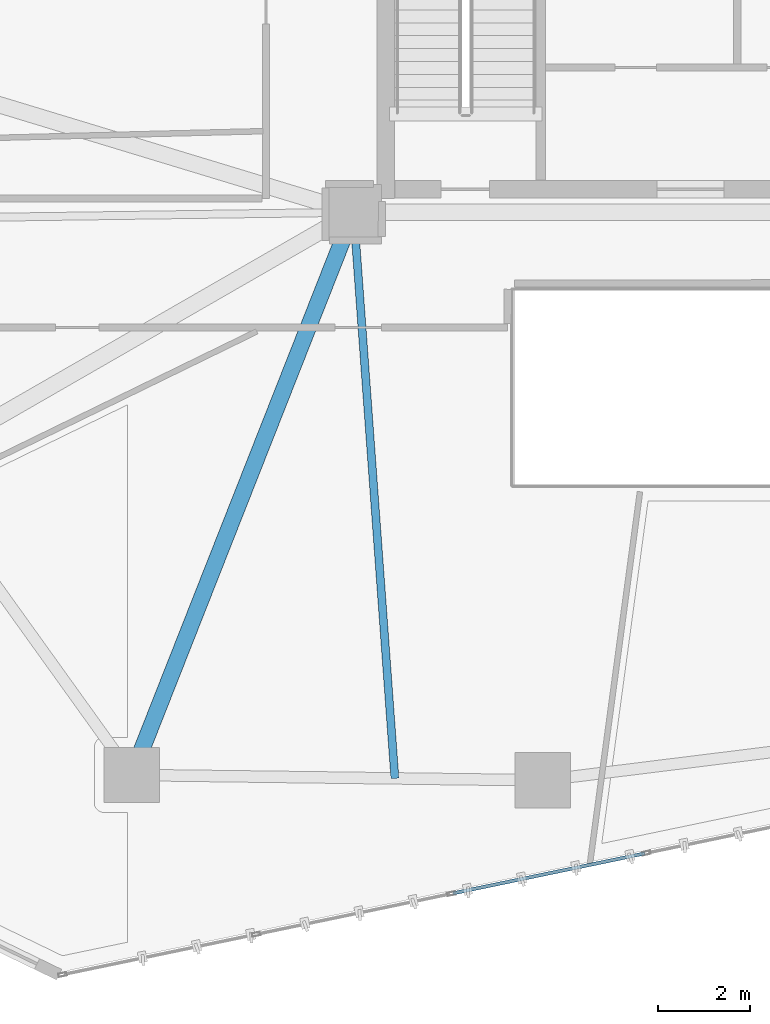
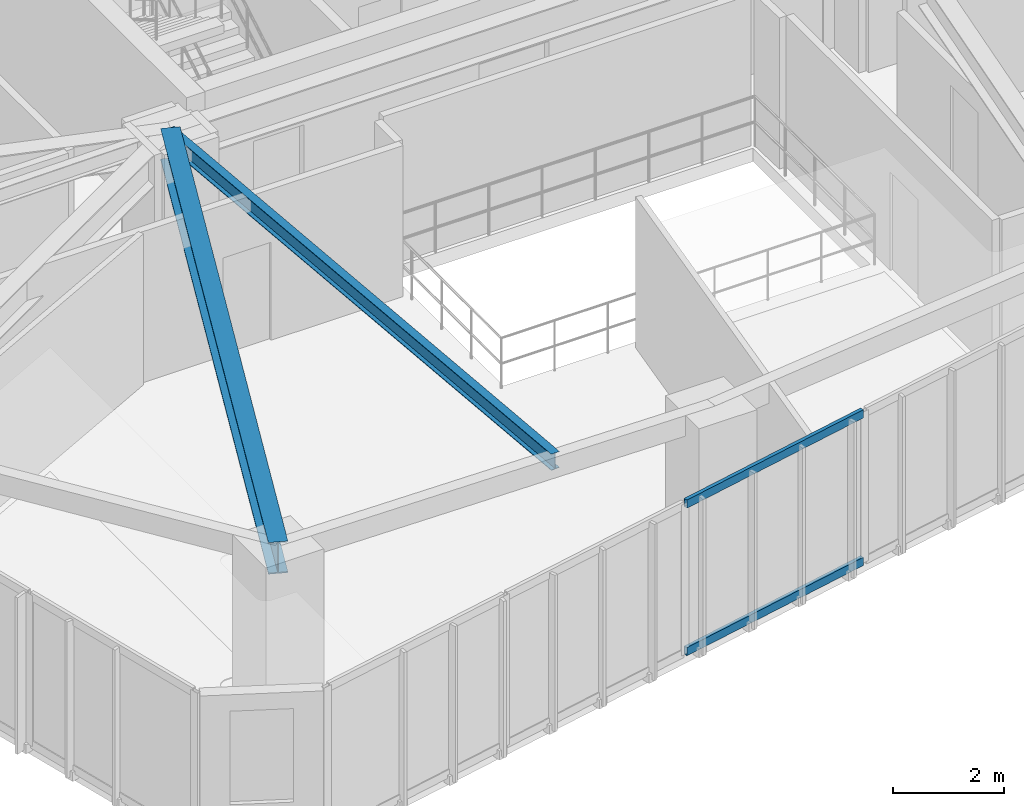
# One storey, part 5 of 22: 2 beams, 2 members, 1 element without a shape of its own.
"""IFC4 building model written with IfcOpenShell, lengths in metres."""

import ifcopenshell
import ifcopenshell.guid

model = None  # the IFC model being written
_history = None  # IfcOwnerHistory: only IFC2X3 demands one
_inside = {}  # id of a spatial element -> (the spatial element, [elements in it])
_under = {}  # id of a project, library or spatial element -> (it, [spatial elements below it])
_declared = {}  # id of a project -> (the project, [libraries it declares])
_typed = {}  # id of a type object -> (the type object, [elements of that type])
_made_of = {}  # id of a material, layer set ... -> (it, [elements and type objects made of it])


def new_model(schema):
    """Start an empty IFC model of exactly this schema.

    Asked for "IFC4X3", IfcOpenShell would pick the latest addendum, in which some entities
    have other attributes; the version numbers below select the first issue.
    IFC2X3 requires an IfcOwnerHistory on every rooted entity: one is made here for all.
    """
    global model, _history
    if schema == "IFC4X3":
        model = ifcopenshell.file(schema_version=(4, 3, 0, 0))
    else:
        model = ifcopenshell.file(schema=schema)
    _inside.clear()
    _under.clear()
    _declared.clear()
    _typed.clear()
    _made_of.clear()
    _history = None
    if model.schema == "IFC2X3":
        org = make("IfcOrganization", Name="unknown")
        user = make(
            "IfcPersonAndOrganization",
            ThePerson=make("IfcPerson", FamilyName="unknown"),
            TheOrganization=org,
        )
        app = make(
            "IfcApplication",
            ApplicationDeveloper=org,
            Version="unknown",
            ApplicationFullName="unknown",
            ApplicationIdentifier="unknown",
        )
        _history = make(
            "IfcOwnerHistory",
            OwningUser=user,
            OwningApplication=app,
            ChangeAction="ADDED",
            CreationDate=0,
        )
    return model


def make(cls, **values):
    """One entity of the class cls with the attributes given. An attribute that is None is left unset."""
    return model.create_entity(
        cls, **{name: value for name, value in values.items() if value is not None}
    )


def rooted(cls, **values):
    """An entity with a GlobalId (a new one), such as an element, a storey or a relation."""
    return make(cls, GlobalId=ifcopenshell.guid.new(), OwnerHistory=_history, **values)


def si_unit(unit_type, name, prefix=None):
    """IfcSIUnit, for example si_unit("LENGTHUNIT", "METRE", prefix="MILLI")."""
    return make("IfcSIUnit", UnitType=unit_type, Prefix=prefix, Name=name)


def assignment(units):
    """IfcUnitAssignment: the units of a project."""
    return None if units is None else make("IfcUnitAssignment", Units=units)


def point(xyz):
    """IfcCartesianPoint."""
    return None if xyz is None else make("IfcCartesianPoint", Coordinates=xyz)


def direction(xyz):
    """IfcDirection."""
    return None if xyz is None else make("IfcDirection", DirectionRatios=xyz)


def frame(location, z_axis=None, x_axis=None):
    """IfcAxis2Placement3D, a coordinate frame: its origin and axes. An axis left out is left unset."""
    return make(
        "IfcAxis2Placement3D",
        Location=point(location),
        Axis=direction(z_axis),
        RefDirection=direction(x_axis),
    )


def frame_2d(location, x_axis=None):
    """IfcAxis2Placement2D, a coordinate frame in the plane: its origin and x axis."""
    return make(
        "IfcAxis2Placement2D", Location=point(location), RefDirection=direction(x_axis)
    )


def origin():
    """The frame at (0, 0, 0) with its axes left unset."""
    return frame((0.0, 0.0, 0.0))


def origin_2d():
    """The frame at (0, 0) in the plane with its x axis left unset."""
    return frame_2d((0.0, 0.0))


def place(relative_to, where):
    """IfcLocalPlacement: puts the frame where relative to a parent placement (None: the world)."""
    return make(
        "IfcLocalPlacement", PlacementRelTo=relative_to, RelativePlacement=where
    )


def context(
    kind, dimensions, precision=None, world=None, true_north=None, identifier=None
):
    """IfcGeometricRepresentationContext, for example the 3D "Model" context."""
    return make(
        "IfcGeometricRepresentationContext",
        ContextIdentifier=identifier,
        ContextType=kind,
        CoordinateSpaceDimension=dimensions,
        Precision=precision,
        WorldCoordinateSystem=world,
        TrueNorth=true_north,
    )


def subcontext(parent, identifier, kind, view, scale=None):
    """IfcGeometricRepresentationSubContext, for example "Body" below "Model"."""
    return make(
        "IfcGeometricRepresentationSubContext",
        ContextIdentifier=identifier,
        ContextType=kind,
        ParentContext=parent,
        TargetScale=scale,
        TargetView=view,
    )


def project(units=None, contexts=None):
    """IfcProject with its units and contexts."""
    return rooted(
        "IfcProject",
        Name="project",
        RepresentationContexts=contexts,
        UnitsInContext=assignment(units),
    )


def spatial(cls, under=None, at=None, **own):
    """A site, building, storey or space (cls), placed at a placement, below another one or the project."""
    s = rooted(cls, ObjectPlacement=at, **own)
    if under is not None:
        _under.setdefault(under.id(), (under, []))[1].append(s)
    return s


def profile(cls, at=None, kind="AREA", **sizes):
    """A parametric profile (cls). Its sizes go by their IFC names, for example OverallWidth=200.0."""
    return make(cls, ProfileType=kind, Position=at, **sizes)


def hollow_rectangle(**sizes):
    """IfcRectangleHollowProfileDef."""
    return profile("IfcRectangleHollowProfileDef", **sizes)


def i_section(**sizes):
    """IfcIShapeProfileDef."""
    return profile("IfcIShapeProfileDef", **sizes)


def extrude(swept, where, along, depth):
    """IfcExtrudedAreaSolid: the profile swept, set in the frame where, extruded along a direction by depth."""
    return make(
        "IfcExtrudedAreaSolid",
        SweptArea=swept,
        Position=where,
        ExtrudedDirection=direction(along),
        Depth=depth,
    )


def shape(context_of_items, identifier, shape_type, items):
    """IfcShapeRepresentation: the items that make up one representation, for example the "Body"."""
    return make(
        "IfcShapeRepresentation",
        ContextOfItems=context_of_items,
        RepresentationIdentifier=identifier,
        RepresentationType=shape_type,
        Items=items,
    )


def source(mapping_origin, context_of_items, identifier, shape_type, items):
    """IfcRepresentationMap: a shape defined once, which mapped items show again and again."""
    return make(
        "IfcRepresentationMap",
        MappingOrigin=mapping_origin,
        MappedRepresentation=shape(context_of_items, identifier, shape_type, items),
    )


def transform(
    local_origin,
    x_axis=None,
    y_axis=None,
    z_axis=None,
    scale=None,
    scale2=None,
    scale3=None,
    uniform=True,
):
    """IfcCartesianTransformationOperator3D, or its non-uniform kind. x_axis, y_axis, z_axis: its Axis1, 2, 3."""
    if uniform:
        return make(
            "IfcCartesianTransformationOperator3D",
            Axis1=direction(x_axis),
            Axis2=direction(y_axis),
            LocalOrigin=point(local_origin),
            Scale=scale,
            Axis3=direction(z_axis),
        )
    return make(
        "IfcCartesianTransformationOperator3DnonUniform",
        Axis1=direction(x_axis),
        Axis2=direction(y_axis),
        LocalOrigin=point(local_origin),
        Scale=scale,
        Axis3=direction(z_axis),
        Scale2=scale2,
        Scale3=scale3,
    )


def mapped(mapping_source, mapping_target):
    """IfcMappedItem: shows the shape of a source again, moved by a transform."""
    return make(
        "IfcMappedItem", MappingSource=mapping_source, MappingTarget=mapping_target
    )


def material(Name=None, Category=None):
    """IfcMaterial."""
    return make("IfcMaterial", Name=Name, Category=Category)


def layer(
    of_material, thickness, ventilated=None, Name=None, Category=None, Priority=None
):
    """IfcMaterialLayer: one layer of a wall or slab, of a material (None: an air gap)."""
    return make(
        "IfcMaterialLayer",
        Material=of_material,
        LayerThickness=thickness,
        IsVentilated=ventilated,
        Name=Name,
        Category=Category,
        Priority=Priority,
    )


def layer_set(layers, Name=None):
    """IfcMaterialLayerSet."""
    return make("IfcMaterialLayerSet", MaterialLayers=layers, LayerSetName=Name)


def material_profile(
    of_material, cross_section, Name=None, Category=None, Priority=None
):
    """IfcMaterialProfile: a cross section and its material."""
    return make(
        "IfcMaterialProfile",
        Name=Name,
        Material=of_material,
        Profile=cross_section,
        Priority=Priority,
        Category=Category,
    )


def profile_set(profiles, Name=None, composite=None):
    """IfcMaterialProfileSet."""
    return make(
        "IfcMaterialProfileSet",
        Name=Name,
        MaterialProfiles=profiles,
        CompositeProfile=composite,
    )


def made_of(thing, what):
    """Note that an element or type object is made of a material, layer set ...; save() writes the relation."""
    if what is not None:
        _made_of.setdefault(what.id(), (what, []))[1].append(thing)
    return thing


def type_object(cls, material=None, **own):
    """A type object (cls), such as IfcWallType, which elements share."""
    return made_of(rooted(cls, **own), material)


def type_shapes(of_type, sources):
    """Give a type object the sources (RepresentationMaps) that its elements show as mapped items."""
    of_type.RepresentationMaps = sources


def element(
    cls,
    number,
    at=None,
    inside=None,
    cuts=None,
    type_object=None,
    material=None,
    context=None,
    identifier="Body",
    shape_type=None,
    held_by="IfcProductDefinitionShape",
    body=None,
    shapes=None,
    **own,
):
    """One element of the class cls, such as IfcWall. Its Tag is "e" and its number.

    at: its placement. inside: the storey or other place that contains it. cuts: it is an
    opening in that element (IfcRelVoidsElement). A single representation is given by context,
    identifier, shape_type and body (its items); several are given by shapes. held_by: the class
    of the entity that holds the representations. save() writes the other relations.
    """
    e = rooted(cls, Tag="e%d" % number, ObjectPlacement=at, **own)
    if body is not None:
        shapes = [shape(context, identifier, shape_type, body)]
    if shapes is not None:
        e.Representation = make(held_by, Representations=shapes)
    if inside is not None:
        _inside.setdefault(inside.id(), (inside, []))[1].append(e)
    if cuts is not None:
        rooted(
            "IfcRelVoidsElement", RelatingBuildingElement=cuts, RelatedOpeningElement=e
        )
    if type_object is not None:
        _typed.setdefault(type_object.id(), (type_object, []))[1].append(e)
    return made_of(e, material)


def aggregate(whole, parts):
    """IfcRelAggregates: a whole, such as a stair, and the parts it consists of."""
    return rooted("IfcRelAggregates", RelatingObject=whole, RelatedObjects=parts)


def save(model, path):
    """Write the relations noted so far, then the file.

    IfcRelAggregates (storeys below a building ...), IfcRelContainedInSpatialStructure (elements
    in a storey), IfcRelDefinesByType, IfcRelAssociatesMaterial and IfcRelDeclares: one each for
    every whole, place, type object, material and project.
    """
    for whole, parts in _under.values():
        aggregate(whole, parts)
    for where, things in _inside.values():
        rooted(
            "IfcRelContainedInSpatialStructure",
            RelatedElements=things,
            RelatingStructure=where,
        )
    for kind, things in _typed.values():
        rooted("IfcRelDefinesByType", RelatedObjects=things, RelatingType=kind)
    for what, things in _made_of.values():
        rooted("IfcRelAssociatesMaterial", RelatedObjects=things, RelatingMaterial=what)
    for by, libraries in _declared.values():
        rooted("IfcRelDeclares", RelatingContext=by, RelatedDefinitions=libraries)
    model.write(path)


model = new_model("IFC4")

# Units and contexts
model_context = context("Model", 3, precision=1e-05, world=origin(), true_north=direction((0.0, 1.0)))
body_context = subcontext(model_context, "Body", "Model", "MODEL_VIEW")
ifc_project = project(units=[si_unit("LENGTHUNIT", "METRE"), si_unit("AREAUNIT", "SQUARE_METRE"), si_unit("VOLUMEUNIT", "CUBIC_METRE"), si_unit("PLANEANGLEUNIT", "RADIAN"), si_unit("MASSUNIT", "GRAM", prefix="KILO")], contexts=[model_context])

# Site, building, storey
site_placement = place(None, origin())
site = spatial("IfcSite", under=ifc_project, at=site_placement, CompositionType="ELEMENT")
building_placement = place(site_placement, origin())
building = spatial("IfcBuilding", under=site, at=building_placement, Name="Talar Marvaseh", CompositionType="ELEMENT")
storey_placement = place(building_placement, frame((0.0, 0.0, 125.39990234375)))
storey = spatial("IfcBuildingStorey", under=building, at=storey_placement, Name="L32", CompositionType="ELEMENT", Elevation=125.39990234375)

# Beams
ifc_material_1 = material(Name="Steel S355", Category="steel")
ifc_material_profile_1 = material_profile(ifc_material_1, i_section(OverallWidth=0.35498046875, OverallDepth=0.695068359375, WebThickness=0.015380859375, FlangeThickness=0.02490234375, at=origin_2d()), Name="W690x217")
ifc_profile_set_1 = profile_set([ifc_material_profile_1], Name="Steel S355")
beam_type_1 = type_object("IfcBeamType", Name="Zone 2 Radial Floor Girder W690x217", PredefinedType="BEAM", material=ifc_profile_set_1)
beam_1_placement = place(storey_placement, frame((13.89111328125, 13.299072265625, 2.962646484375), z_axis=(0.366683712786, 0.930345664136, 0.0), x_axis=(-0.930345664136, 0.366683712786, 0.0)))
element("IfcBeam", 1, at=beam_1_placement, inside=storey, type_object=beam_type_1, Name="L32 Zone 2 Radial Floor Girder W690x217", PredefinedType="BEAM", context=body_context, shape_type="SweptSolid", body=[
    extrude(i_section(OverallWidth=0.35498046875, OverallDepth=0.695068359375, WebThickness=0.015380859375, FlangeThickness=0.02490234375, at=origin_2d()), origin(), (0.0, 0.0, 1.0), 13.114501953125),
])
ifc_material_profile_2 = material_profile(ifc_material_1, i_section(OverallWidth=0.172119140625, OverallDepth=0.35791015625, WebThickness=0.0078125, FlangeThickness=0.01318359375, at=origin_2d()), Name="W360x57")
ifc_profile_set_2 = profile_set([ifc_material_profile_2], Name="Steel S355")
beam_type_2 = type_object("IfcBeamType", Name="Zone 2 Secondary Floor Joist W360x57", PredefinedType="JOIST", material=ifc_profile_set_2)
beam_2_placement = place(storey_placement, frame((19.595947265625, 13.224853515625, 3.131103515625), z_axis=(-0.07279902415, 0.997346630857, 0.0), x_axis=(-0.997346630857, -0.07279902415, 0.0)))
element("IfcBeam", 2, at=beam_2_placement, inside=storey, type_object=beam_type_2, Name="L32 Zone 2 Secondary Floor Joist W360x57", PredefinedType="JOIST", context=body_context, shape_type="SweptSolid", body=[
    extrude(i_section(OverallWidth=0.172119140625, OverallDepth=0.35791015625, WebThickness=0.0078125, FlangeThickness=0.01318359375, at=origin_2d()), origin(), (0.0, 0.0, 1.0), 12.307861328125),
])

# Curtain wall, members
ifc_material_2 = material(Name="Architectural Aluminium", Category="aluminium")
ifc_layer = layer(ifc_material_2, 0.199951171875)
ifc_layer_set = layer_set([ifc_layer], Name="Architectural Aluminium")
curtain_wall_type = type_object("IfcCurtainWallType", Name="Unitised Acoustic Library Curtain Wall Z2", PredefinedType="NOTDEFINED", material=ifc_layer_set)
curtain_wall_placement = place(storey_placement, origin())
curtain_wall = element("IfcCurtainWall", 3, at=curtain_wall_placement, inside=storey, type_object=curtain_wall_type, Name="L32 Unitised Acoustic Library Curtain Wall Z2", PredefinedType="NOTDEFINED")
ifc_material_profile_3 = material_profile(ifc_material_2, hollow_rectangle(XDim=0.074951171875, YDim=0.179931640625, WallThickness=0.0048828125, at=origin_2d()), Name="RHS180x75x5")
ifc_profile_set_3 = profile_set([ifc_material_profile_3], Name="Architectural Aluminium")
member_type = type_object("IfcMemberType", Name="Unitised Curtain Wall Transom RHS180x75x5", PredefinedType="USERDEFINED", material=ifc_profile_set_3)
shared_shape = source(origin(), body_context, "Body", "SweptSolid", [
    extrude(hollow_rectangle(XDim=0.074951171875, YDim=0.179931640625, WallThickness=0.0048828125, at=origin_2d()), origin(), (0.0, 0.0, 1.0), 4.24853515625),
])
type_shapes(member_type, [shared_shape])
member_1_placement = place(storey_placement, frame((25.015380859375, 11.59912109375, 0.03759765625), z_axis=(-0.979007660802, -0.203823453241, 0.0), x_axis=(0.203823453241, -0.979007660802, 0.0)))
member_1 = element("IfcMember", 4, at=member_1_placement, type_object=member_type, Name="CW-Z2 transom 3.1", ObjectType="TRANSOM", PredefinedType="USERDEFINED", context=body_context, shape_type="MappedRepresentation", body=[
    mapped(shared_shape, transform((0.0, 0.0, 0.0), x_axis=(1.0, 0.0, 0.0), y_axis=(0.0, 1.0, 0.0), z_axis=(0.0, 0.0, 1.0), scale=1.0)),
])
member_2_placement = place(storey_placement, frame((25.015380859375, 11.59912109375, 3.272705078125), z_axis=(-0.979007660802, -0.203823453241, 0.0), x_axis=(0.203823453241, -0.979007660802, 0.0)))
member_2 = element("IfcMember", 5, at=member_2_placement, type_object=member_type, Name="CW-Z2 transom 3.2", ObjectType="TRANSOM", PredefinedType="USERDEFINED", context=body_context, shape_type="MappedRepresentation", body=[
    mapped(shared_shape, transform((0.0, 0.0, 0.0), x_axis=(1.0, 0.0, 0.0), y_axis=(0.0, 1.0, 0.0), z_axis=(0.0, 0.0, 1.0), scale=1.0)),
])
aggregate(curtain_wall, [member_1, member_2])

save(model, "model.ifc")
